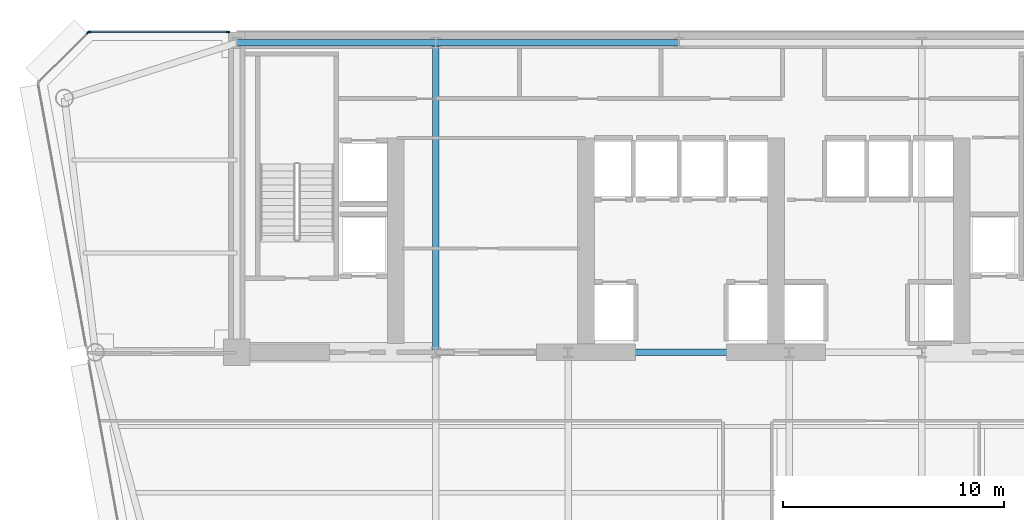
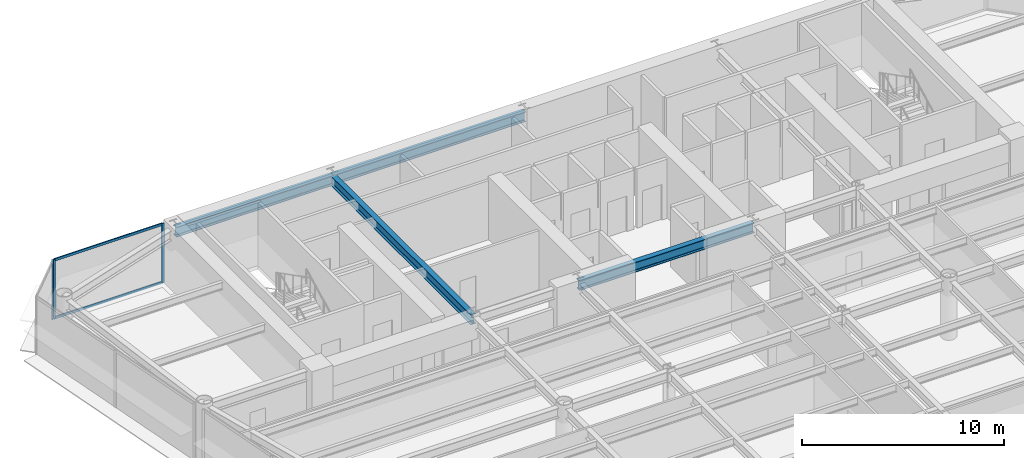
# One storey, part 8 of 17: 5 members, 4 beams, 2 elements without a shape of their own.
"""IFC4 building model written with IfcOpenShell, lengths in metres."""

import ifcopenshell
import ifcopenshell.guid

model = None  # the IFC model being written
_history = None  # IfcOwnerHistory: only IFC2X3 demands one
_inside = {}  # id of a spatial element -> (the spatial element, [elements in it])
_under = {}  # id of a project, library or spatial element -> (it, [spatial elements below it])
_declared = {}  # id of a project -> (the project, [libraries it declares])
_typed = {}  # id of a type object -> (the type object, [elements of that type])
_made_of = {}  # id of a material, layer set ... -> (it, [elements and type objects made of it])


def new_model(schema):
    """Start an empty IFC model of exactly this schema.

    Asked for "IFC4X3", IfcOpenShell would pick the latest addendum, in which some entities
    have other attributes; the version numbers below select the first issue.
    IFC2X3 requires an IfcOwnerHistory on every rooted entity: one is made here for all.
    """
    global model, _history
    if schema == "IFC4X3":
        model = ifcopenshell.file(schema_version=(4, 3, 0, 0))
    else:
        model = ifcopenshell.file(schema=schema)
    _inside.clear()
    _under.clear()
    _declared.clear()
    _typed.clear()
    _made_of.clear()
    _history = None
    if model.schema == "IFC2X3":
        org = make("IfcOrganization", Name="unknown")
        user = make(
            "IfcPersonAndOrganization",
            ThePerson=make("IfcPerson", FamilyName="unknown"),
            TheOrganization=org,
        )
        app = make(
            "IfcApplication",
            ApplicationDeveloper=org,
            Version="unknown",
            ApplicationFullName="unknown",
            ApplicationIdentifier="unknown",
        )
        _history = make(
            "IfcOwnerHistory",
            OwningUser=user,
            OwningApplication=app,
            ChangeAction="ADDED",
            CreationDate=0,
        )
    return model


def make(cls, **values):
    """One entity of the class cls with the attributes given. An attribute that is None is left unset."""
    return model.create_entity(
        cls, **{name: value for name, value in values.items() if value is not None}
    )


def rooted(cls, **values):
    """An entity with a GlobalId (a new one), such as an element, a storey or a relation."""
    return make(cls, GlobalId=ifcopenshell.guid.new(), OwnerHistory=_history, **values)


def si_unit(unit_type, name, prefix=None):
    """IfcSIUnit, for example si_unit("LENGTHUNIT", "METRE", prefix="MILLI")."""
    return make("IfcSIUnit", UnitType=unit_type, Prefix=prefix, Name=name)


def assignment(units):
    """IfcUnitAssignment: the units of a project."""
    return None if units is None else make("IfcUnitAssignment", Units=units)


def point(xyz):
    """IfcCartesianPoint."""
    return None if xyz is None else make("IfcCartesianPoint", Coordinates=xyz)


def direction(xyz):
    """IfcDirection."""
    return None if xyz is None else make("IfcDirection", DirectionRatios=xyz)


def frame(location, z_axis=None, x_axis=None):
    """IfcAxis2Placement3D, a coordinate frame: its origin and axes. An axis left out is left unset."""
    return make(
        "IfcAxis2Placement3D",
        Location=point(location),
        Axis=direction(z_axis),
        RefDirection=direction(x_axis),
    )


def frame_2d(location, x_axis=None):
    """IfcAxis2Placement2D, a coordinate frame in the plane: its origin and x axis."""
    return make(
        "IfcAxis2Placement2D", Location=point(location), RefDirection=direction(x_axis)
    )


def origin():
    """The frame at (0, 0, 0) with its axes left unset."""
    return frame((0.0, 0.0, 0.0))


def origin_2d():
    """The frame at (0, 0) in the plane with its x axis left unset."""
    return frame_2d((0.0, 0.0))


def place(relative_to, where):
    """IfcLocalPlacement: puts the frame where relative to a parent placement (None: the world)."""
    return make(
        "IfcLocalPlacement", PlacementRelTo=relative_to, RelativePlacement=where
    )


def context(
    kind, dimensions, precision=None, world=None, true_north=None, identifier=None
):
    """IfcGeometricRepresentationContext, for example the 3D "Model" context."""
    return make(
        "IfcGeometricRepresentationContext",
        ContextIdentifier=identifier,
        ContextType=kind,
        CoordinateSpaceDimension=dimensions,
        Precision=precision,
        WorldCoordinateSystem=world,
        TrueNorth=true_north,
    )


def subcontext(parent, identifier, kind, view, scale=None):
    """IfcGeometricRepresentationSubContext, for example "Body" below "Model"."""
    return make(
        "IfcGeometricRepresentationSubContext",
        ContextIdentifier=identifier,
        ContextType=kind,
        ParentContext=parent,
        TargetScale=scale,
        TargetView=view,
    )


def project(units=None, contexts=None):
    """IfcProject with its units and contexts."""
    return rooted(
        "IfcProject",
        Name="project",
        RepresentationContexts=contexts,
        UnitsInContext=assignment(units),
    )


def spatial(cls, under=None, at=None, **own):
    """A site, building, storey or space (cls), placed at a placement, below another one or the project."""
    s = rooted(cls, ObjectPlacement=at, **own)
    if under is not None:
        _under.setdefault(under.id(), (under, []))[1].append(s)
    return s


def profile(cls, at=None, kind="AREA", **sizes):
    """A parametric profile (cls). Its sizes go by their IFC names, for example OverallWidth=200.0."""
    return make(cls, ProfileType=kind, Position=at, **sizes)


def rectangle(**sizes):
    """IfcRectangleProfileDef."""
    return profile("IfcRectangleProfileDef", **sizes)


def i_section(**sizes):
    """IfcIShapeProfileDef."""
    return profile("IfcIShapeProfileDef", **sizes)


def extrude(swept, where, along, depth):
    """IfcExtrudedAreaSolid: the profile swept, set in the frame where, extruded along a direction by depth."""
    return make(
        "IfcExtrudedAreaSolid",
        SweptArea=swept,
        Position=where,
        ExtrudedDirection=direction(along),
        Depth=depth,
    )


def shape(context_of_items, identifier, shape_type, items):
    """IfcShapeRepresentation: the items that make up one representation, for example the "Body"."""
    return make(
        "IfcShapeRepresentation",
        ContextOfItems=context_of_items,
        RepresentationIdentifier=identifier,
        RepresentationType=shape_type,
        Items=items,
    )


def source(mapping_origin, context_of_items, identifier, shape_type, items):
    """IfcRepresentationMap: a shape defined once, which mapped items show again and again."""
    return make(
        "IfcRepresentationMap",
        MappingOrigin=mapping_origin,
        MappedRepresentation=shape(context_of_items, identifier, shape_type, items),
    )


def transform(
    local_origin,
    x_axis=None,
    y_axis=None,
    z_axis=None,
    scale=None,
    scale2=None,
    scale3=None,
    uniform=True,
):
    """IfcCartesianTransformationOperator3D, or its non-uniform kind. x_axis, y_axis, z_axis: its Axis1, 2, 3."""
    if uniform:
        return make(
            "IfcCartesianTransformationOperator3D",
            Axis1=direction(x_axis),
            Axis2=direction(y_axis),
            LocalOrigin=point(local_origin),
            Scale=scale,
            Axis3=direction(z_axis),
        )
    return make(
        "IfcCartesianTransformationOperator3DnonUniform",
        Axis1=direction(x_axis),
        Axis2=direction(y_axis),
        LocalOrigin=point(local_origin),
        Scale=scale,
        Axis3=direction(z_axis),
        Scale2=scale2,
        Scale3=scale3,
    )


def mapped(mapping_source, mapping_target):
    """IfcMappedItem: shows the shape of a source again, moved by a transform."""
    return make(
        "IfcMappedItem", MappingSource=mapping_source, MappingTarget=mapping_target
    )


def material(Name=None, Category=None):
    """IfcMaterial."""
    return make("IfcMaterial", Name=Name, Category=Category)


def layer(
    of_material, thickness, ventilated=None, Name=None, Category=None, Priority=None
):
    """IfcMaterialLayer: one layer of a wall or slab, of a material (None: an air gap)."""
    return make(
        "IfcMaterialLayer",
        Material=of_material,
        LayerThickness=thickness,
        IsVentilated=ventilated,
        Name=Name,
        Category=Category,
        Priority=Priority,
    )


def layer_set(layers, Name=None):
    """IfcMaterialLayerSet."""
    return make("IfcMaterialLayerSet", MaterialLayers=layers, LayerSetName=Name)


def material_profile(
    of_material, cross_section, Name=None, Category=None, Priority=None
):
    """IfcMaterialProfile: a cross section and its material."""
    return make(
        "IfcMaterialProfile",
        Name=Name,
        Material=of_material,
        Profile=cross_section,
        Priority=Priority,
        Category=Category,
    )


def profile_set(profiles, Name=None, composite=None):
    """IfcMaterialProfileSet."""
    return make(
        "IfcMaterialProfileSet",
        Name=Name,
        MaterialProfiles=profiles,
        CompositeProfile=composite,
    )


def made_of(thing, what):
    """Note that an element or type object is made of a material, layer set ...; save() writes the relation."""
    if what is not None:
        _made_of.setdefault(what.id(), (what, []))[1].append(thing)
    return thing


def type_object(cls, material=None, **own):
    """A type object (cls), such as IfcWallType, which elements share."""
    return made_of(rooted(cls, **own), material)


def element(
    cls,
    number,
    at=None,
    inside=None,
    cuts=None,
    type_object=None,
    material=None,
    context=None,
    identifier="Body",
    shape_type=None,
    held_by="IfcProductDefinitionShape",
    body=None,
    shapes=None,
    **own,
):
    """One element of the class cls, such as IfcWall. Its Tag is "e" and its number.

    at: its placement. inside: the storey or other place that contains it. cuts: it is an
    opening in that element (IfcRelVoidsElement). A single representation is given by context,
    identifier, shape_type and body (its items); several are given by shapes. held_by: the class
    of the entity that holds the representations. save() writes the other relations.
    """
    e = rooted(cls, Tag="e%d" % number, ObjectPlacement=at, **own)
    if body is not None:
        shapes = [shape(context, identifier, shape_type, body)]
    if shapes is not None:
        e.Representation = make(held_by, Representations=shapes)
    if inside is not None:
        _inside.setdefault(inside.id(), (inside, []))[1].append(e)
    if cuts is not None:
        rooted(
            "IfcRelVoidsElement", RelatingBuildingElement=cuts, RelatedOpeningElement=e
        )
    if type_object is not None:
        _typed.setdefault(type_object.id(), (type_object, []))[1].append(e)
    return made_of(e, material)


def aggregate(whole, parts):
    """IfcRelAggregates: a whole, such as a stair, and the parts it consists of."""
    return rooted("IfcRelAggregates", RelatingObject=whole, RelatedObjects=parts)


def save(model, path):
    """Write the relations noted so far, then the file.

    IfcRelAggregates (storeys below a building ...), IfcRelContainedInSpatialStructure (elements
    in a storey), IfcRelDefinesByType, IfcRelAssociatesMaterial and IfcRelDeclares: one each for
    every whole, place, type object, material and project.
    """
    for whole, parts in _under.values():
        aggregate(whole, parts)
    for where, things in _inside.values():
        rooted(
            "IfcRelContainedInSpatialStructure",
            RelatedElements=things,
            RelatingStructure=where,
        )
    for kind, things in _typed.values():
        rooted("IfcRelDefinesByType", RelatedObjects=things, RelatingType=kind)
    for what, things in _made_of.values():
        rooted("IfcRelAssociatesMaterial", RelatedObjects=things, RelatingMaterial=what)
    for by, libraries in _declared.values():
        rooted("IfcRelDeclares", RelatingContext=by, RelatedDefinitions=libraries)
    model.write(path)


model = new_model("IFC4")

# Units and contexts
model_context = context("Model", 3, precision=1e-05, world=origin(), true_north=direction((0.0, 1.0)))
body_context = subcontext(model_context, "Body", "Model", "MODEL_VIEW")
ifc_project = project(units=[si_unit("LENGTHUNIT", "METRE"), si_unit("AREAUNIT", "SQUARE_METRE"), si_unit("VOLUMEUNIT", "CUBIC_METRE"), si_unit("PLANEANGLEUNIT", "RADIAN"), si_unit("MASSUNIT", "GRAM", prefix="KILO")], contexts=[model_context])

# Site, building, storey
site_placement = place(None, origin())
site = spatial("IfcSite", under=ifc_project, at=site_placement, CompositionType="ELEMENT")
building_placement = place(site_placement, origin())
building = spatial("IfcBuilding", under=site, at=building_placement, Name="Vaeldorn Concourse Tower", CompositionType="ELEMENT")
storey_placement = place(building_placement, frame((0.0, 0.0, 165.199951171875)))
storey = spatial("IfcBuildingStorey", under=building, at=storey_placement, Name="L42", CompositionType="ELEMENT", Elevation=165.199951171875)

# Beams
ifc_material_1 = material(Name="Steel S355", Category="steel")
ifc_material_profile_1 = material_profile(ifc_material_1, i_section(OverallWidth=0.300048828125, OverallDepth=0.60009765625, WebThickness=0.015380859375, FlangeThickness=0.030029296875, FilletRadius=0.027099609375, at=origin_2d()), Name="HEB 600")
ifc_profile_set_1 = profile_set([ifc_material_profile_1], Name="Steel S355")
beam_type = type_object("IfcBeamType", Name="BM-PG-HEB600", PredefinedType="BEAM", material=ifc_profile_set_1)
shared_shape_1 = source(origin(), body_context, "Body", "SweptSolid", [
    extrude(i_section(OverallWidth=0.300048828125, OverallDepth=0.60009765625, WebThickness=0.015380859375, FlangeThickness=0.030029296875, FilletRadius=0.027099609375, at=origin_2d()), origin(), (0.0, 0.0, 1.0), 10.0),
])
beam_1_placement = place(storey_placement, frame((29.0, 36.5, 3.280029296875), z_axis=(1.0, 0.0, 0.0), x_axis=(0.0, 1.0, 0.0)))
element("IfcBeam", 1, at=beam_1_placement, inside=storey, type_object=beam_type, Name="Beam BM-L42-C-FC3-C-FC4", PredefinedType="BEAM", context=body_context, shape_type="MappedRepresentation", body=[
    mapped(shared_shape_1, transform((0.0, 0.0, 0.0), scale=1.0)),
])
shared_shape_2 = source(origin(), body_context, "Body", "SweptSolid", [
    extrude(i_section(OverallWidth=0.300048828125, OverallDepth=0.60009765625, WebThickness=0.015380859375, FlangeThickness=0.030029296875, FilletRadius=0.027099609375, at=origin_2d()), origin(), (0.0, 0.0, 1.0), 9.0),
])
beam_2_placement = place(storey_placement, frame((14.0, 50.5, 3.280029296875), z_axis=(1.0, 0.0, 0.0), x_axis=(0.0, 1.0, 0.0)))
element("IfcBeam", 2, at=beam_2_placement, inside=storey, type_object=beam_type, Name="Beam BM-L42-C-HC1-C-HC2", PredefinedType="BEAM", context=body_context, shape_type="MappedRepresentation", body=[
    mapped(shared_shape_2, transform((0.0, 0.0, 0.0), scale=1.0)),
])
shared_shape_3 = source(origin(), body_context, "Body", "SweptSolid", [
    extrude(i_section(OverallWidth=0.300048828125, OverallDepth=0.60009765625, WebThickness=0.015380859375, FlangeThickness=0.030029296875, FilletRadius=0.027099609375, at=origin_2d()), origin(), (0.0, 0.0, 1.0), 11.0),
])
beam_3_placement = place(storey_placement, frame((23.0, 50.5, 3.280029296875), z_axis=(1.0, 0.0, 0.0), x_axis=(0.0, 1.0, 0.0)))
element("IfcBeam", 3, at=beam_3_placement, inside=storey, type_object=beam_type, Name="Beam BM-L42-C-HC2-C-HC3", PredefinedType="BEAM", context=body_context, shape_type="MappedRepresentation", body=[
    mapped(shared_shape_3, transform((0.0, 0.0, 0.0), scale=1.0)),
])
shared_shape_4 = source(origin(), body_context, "Body", "SweptSolid", [
    extrude(i_section(OverallWidth=0.300048828125, OverallDepth=0.60009765625, WebThickness=0.015380859375, FlangeThickness=0.030029296875, FilletRadius=0.027099609375, at=origin_2d()), origin(), (0.0, 0.0, 1.0), 14.0),
])
beam_4_placement = place(storey_placement, frame((23.0, 36.5, 3.280029296875), z_axis=(0.0, 1.0, 0.0), x_axis=(-1.0, 0.0, 0.0)))
element("IfcBeam", 4, at=beam_4_placement, inside=storey, type_object=beam_type, Name="Beam BM-L42-C-FC2-C-HC2", PredefinedType="BEAM", context=body_context, shape_type="MappedRepresentation", body=[
    mapped(shared_shape_4, transform((0.0, 0.0, 0.0), scale=1.0)),
])

# Curtain wall, members
ifc_material_2 = material(Name="Anodised Bronze Aluminium", Category="aluminium")
ifc_layer = layer(ifc_material_2, 0.18994140625)
ifc_layer_set = layer_set([ifc_layer], Name="Anodised Bronze Aluminium")
curtain_wall_type = type_object("IfcCurtainWallType", Name="CW-SYS-03", PredefinedType="NOTDEFINED", material=ifc_layer_set)
curtain_wall_1_placement = place(storey_placement, origin())
curtain_wall_1 = element("IfcCurtainWall", 5, at=curtain_wall_1_placement, inside=storey, type_object=curtain_wall_type, Name="Unitised Curtain Wall CW-L42-E09-2", PredefinedType="NOTDEFINED")
ifc_material_profile_2 = material_profile(ifc_material_2, rectangle(XDim=0.06494140625, YDim=0.14990234375, at=origin_2d()), Name="CWT 65x150")
ifc_profile_set_2 = profile_set([ifc_material_profile_2], Name="Anodised Bronze Aluminium")
member_type_1 = type_object("IfcMemberType", Name="CWT-BRONZE-150", PredefinedType="USERDEFINED", material=ifc_profile_set_2)
shared_shape_5 = source(origin(), body_context, "Body", "SweptSolid", [
    extrude(rectangle(XDim=0.06494140625, YDim=0.14990234375, at=origin_2d()), origin(), (0.0, 0.0, 1.0), 6.199951171875),
])
member_1_placement = place(storey_placement, frame((13.56494140625, 51.0, 0.032470703125), z_axis=(-1.0, 0.0, 0.0), x_axis=(0.0, -1.0, 0.0)))
member_1 = element("IfcMember", 6, at=member_1_placement, type_object=member_type_1, Name="CW-03 transom 1.1", ObjectType="TRANSOM", PredefinedType="USERDEFINED", context=body_context, shape_type="MappedRepresentation", body=[
    mapped(shared_shape_5, transform((0.0, 0.0, 0.0), scale=1.0)),
])
member_2_placement = place(storey_placement, frame((13.56494140625, 51.0, 3.547607421875), z_axis=(-1.0, 0.0, 0.0), x_axis=(0.0, -1.0, 0.0)))
member_2 = element("IfcMember", 7, at=member_2_placement, type_object=member_type_1, Name="CW-03 transom 1.2", ObjectType="TRANSOM", PredefinedType="USERDEFINED", context=body_context, shape_type="MappedRepresentation", body=[
    mapped(shared_shape_5, transform((0.0, 0.0, 0.0), scale=1.0)),
])
ifc_material_profile_3 = material_profile(ifc_material_2, rectangle(XDim=0.06494140625, YDim=0.169921875, at=origin_2d()), Name="CWM 65x170")
ifc_profile_set_3 = profile_set([ifc_material_profile_3], Name="Anodised Bronze Aluminium")
member_type_2 = type_object("IfcMemberType", Name="CWM-BRONZE-170", PredefinedType="MULLION", material=ifc_profile_set_3)
shared_shape_6 = source(origin(), body_context, "Body", "SweptSolid", [
    extrude(rectangle(XDim=0.06494140625, YDim=0.169921875, at=origin_2d()), origin(), (0.0, 0.0, 1.0), 3.580078125),
])
member_3_placement = place(storey_placement, frame((13.597412109375, 51.0, 0.0), z_axis=(0.0, 0.0, 1.0), x_axis=(0.0, -1.0, 0.0)))
member_3 = element("IfcMember", 8, at=member_3_placement, type_object=member_type_2, Name="CW-03 mullion 1", PredefinedType="MULLION", context=body_context, shape_type="MappedRepresentation", body=[
    mapped(shared_shape_6, transform((0.0, 0.0, 0.0), scale=1.0)),
])
member_4_placement = place(storey_placement, frame((7.33251953125, 51.0, 0.0), z_axis=(0.0, 0.0, 1.0), x_axis=(0.0, -1.0, 0.0)))
member_4 = element("IfcMember", 9, at=member_4_placement, type_object=member_type_2, Name="CW-03 mullion 2", PredefinedType="MULLION", context=body_context, shape_type="MappedRepresentation", body=[
    mapped(shared_shape_6, transform((0.0, 0.0, 0.0), scale=1.0)),
])
aggregate(curtain_wall_1, [member_3, member_4, member_1, member_2])

# Curtain wall, member
curtain_wall_2_placement = place(storey_placement, origin())
curtain_wall_2 = element("IfcCurtainWall", 10, at=curtain_wall_2_placement, inside=storey, type_object=curtain_wall_type, Name="Unitised Curtain Wall CW-L42-E10-1", PredefinedType="NOTDEFINED")
member_5_placement = place(storey_placement, frame((7.277099609375, 50.97705078125, 0.0), z_axis=(0.0, 0.0, 1.0), x_axis=(0.707106781187, -0.707106781187, 0.0)))
member_5 = element("IfcMember", 11, at=member_5_placement, type_object=member_type_2, Name="CW-03 mullion 1", PredefinedType="MULLION", context=body_context, shape_type="MappedRepresentation", body=[
    mapped(shared_shape_6, transform((0.0, 0.0, 0.0), scale=1.0)),
])
aggregate(curtain_wall_2, [member_5])

save(model, "model.ifc")
